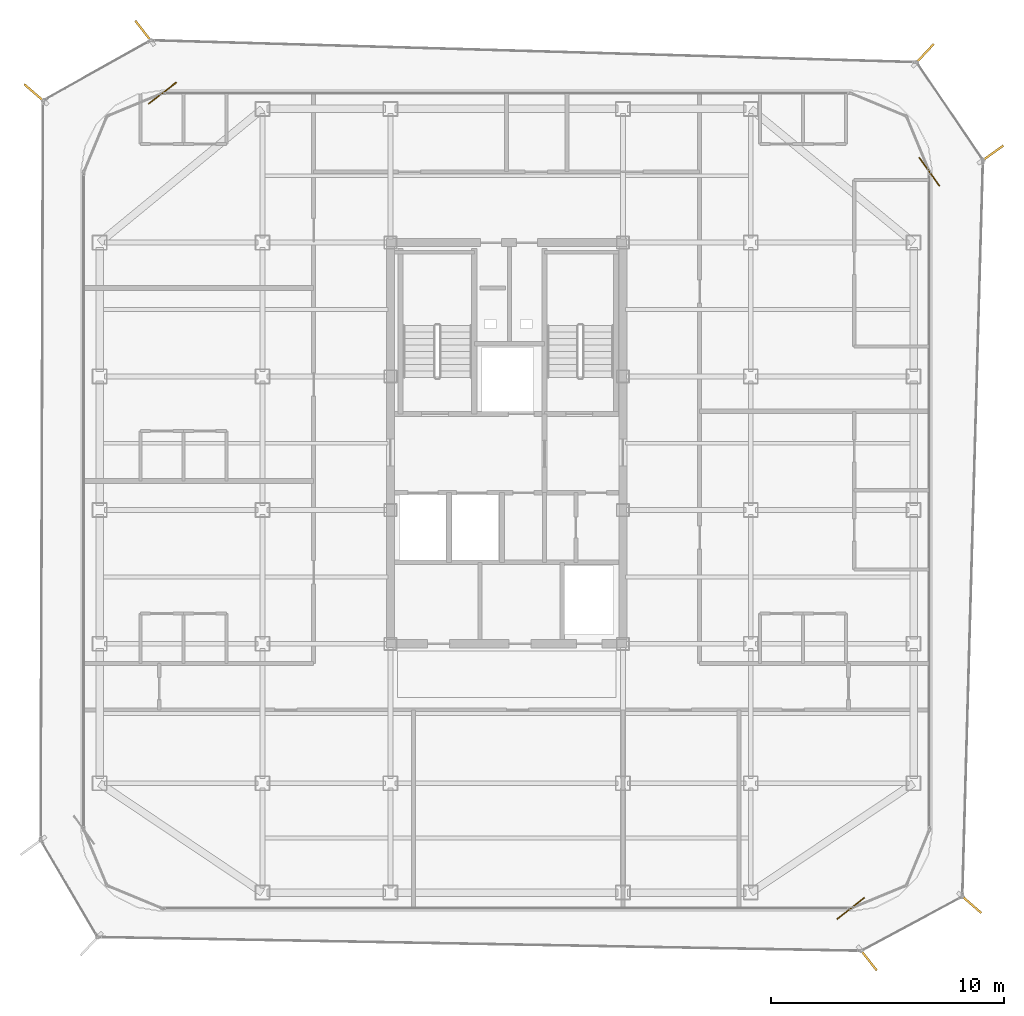
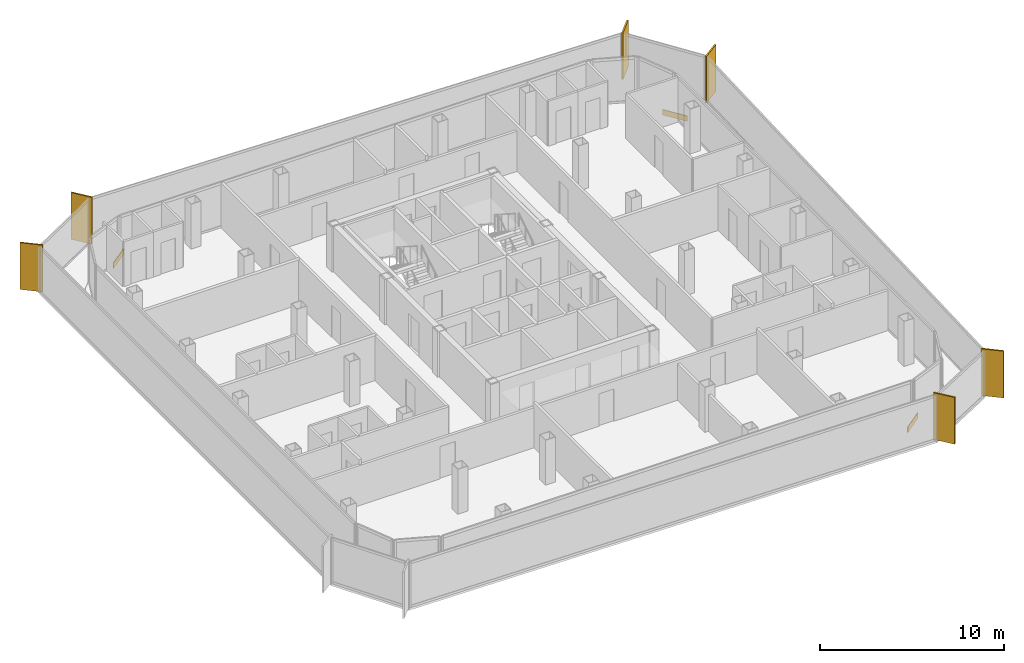
# One storey, part 14 of 14: 6 shading devices, 3 coverings.
"""IFC4 building model written with IfcOpenShell, lengths in metres."""

from ifc_helpers import new_model, si_unit, direction, frame, origin, origin_2d, place, context, subcontext, project, spatial, rectangle, extrude, source, transform, mapped, material, layer, layer_set, type_object, element, save


model = new_model("IFC4")

# Units and contexts
model_context = context("Model", 3, precision=1e-05, world=origin(), true_north=direction((0.0, 1.0)))
body_context = subcontext(model_context, "Body", "Model", "MODEL_VIEW")
ifc_project = project(units=[si_unit("LENGTHUNIT", "METRE"), si_unit("AREAUNIT", "SQUARE_METRE"), si_unit("VOLUMEUNIT", "CUBIC_METRE"), si_unit("PLANEANGLEUNIT", "RADIAN"), si_unit("MASSUNIT", "GRAM", prefix="KILO")], contexts=[model_context])

# Site, building, storey
site_placement = place(None, origin())
site = spatial("IfcSite", under=ifc_project, at=site_placement, CompositionType="ELEMENT")
building_placement = place(site_placement, origin())
building = spatial("IfcBuilding", under=site, at=building_placement, Name="Kolveth Station Tower", CompositionType="ELEMENT")
storey_placement = place(building_placement, frame((0.0, 0.0, 226.5)))
storey = spatial("IfcBuildingStorey", under=building, at=storey_placement, Name="L64", CompositionType="ELEMENT", Elevation=226.5)

# Shading devices
ifc_material_1 = material(Name="Black anodized aluminium 6063-T6", Category="aluminium")
shading_device_type = type_object("IfcShadingDeviceType", Name="FIN_VF1", PredefinedType="USERDEFINED", material=ifc_material_1)
shared_shape_1 = source(origin(), body_context, "Body", "SweptSolid", [
    extrude(rectangle(XDim=1.25, YDim=0.090087890625, at=origin_2d()), origin(), (0.0, 0.0, 1.0), 3.10009765625),
])
for number, where, z_axis, x_axis, name in (
    (1, (39.034912109375, -2.06103515625, 0.0), (0.0, 0.0, 1.0), (0.61895687622, -0.785424971197, 0.0), "L64 Dark-Aluminium Solar Fin 1"),
    (2, (43.443115234375, 0.3330078125, 0.0), (0.0, 0.0, 1.0), (0.755052988457, -0.655663774065, 0.0), "L64 Dark-Aluminium Solar Fin 2"),
    (3, (44.35595703125, 32.56396484375, 0.0), (0.0, 0.0, 1.0), (0.813405448449, 0.581697151818, 0.0), "L64 Dark-Aluminium Solar Fin 3"),
    (4, (41.44189453125, 36.8359375, 0.0), (0.0, 0.0, 1.0), (0.683018857343, 0.730400739673, 0.0), "L64 Dark-Aluminium Solar Fin 4"),
    (5, (7.9130859375, 37.803955078125, 0.0), (0.0, 0.0, 1.0), (-0.611803192039, 0.791010021561, 0.0), "L64 Dark-Aluminium Solar Fin 5"),
    (6, (3.22802734375, 35.154052734375, 0.0), (0.0, 0.0, 1.0), (-0.756881000713, 0.653552714599, 0.0), "L64 Dark-Aluminium Solar Fin 6"),
):
    element("IfcShadingDevice", number, at=place(storey_placement, frame(where, z_axis=z_axis, x_axis=x_axis)), inside=storey, type_object=shading_device_type, Name=name, ObjectType="FIN", PredefinedType="USERDEFINED", context=body_context, shape_type="MappedRepresentation", body=[
        mapped(shared_shape_1, transform((0.0, 0.0, 0.0), x_axis=(1.0, 0.0, 0.0), y_axis=(0.0, 1.0, 0.0), z_axis=(0.0, 0.0, 1.0), scale=1.0)),
    ])

# Coverings
ifc_material_2 = material(Name="Charcoal anodized aluminium spandrel cladding", Category="aluminium")
ifc_layer = layer(ifc_material_2, 0.044921875)
ifc_layer_set = layer_set([ifc_layer], Name="Charcoal anodized aluminium spandrel cladding")
covering_type = type_object("IfcCoveringType", Name="Clad_CD1", PredefinedType="CLADDING", material=ifc_layer_set)
shared_shape_2 = source(origin(), body_context, "Body", "SweptSolid", [
    extrude(rectangle(XDim=1.5, YDim=0.044921875, at=origin_2d()), origin(), (0.0, 0.0, 1.0), 0.360107421875),
])
for number, where, z_axis, x_axis, name in (
    (7, (38.300048828125, 0.1201171875, 0.0), (0.0, 0.0, 1.0), (0.785424971197, 0.61895687622, 0.0), "L64 Spandrel Edge Cladding 1"),
    (8, (41.679931640625, 31.800048828125, 0.0), (0.0, 0.0, 1.0), (-0.581697151818, 0.813405448449, 0.0), "L64 Spandrel Edge Cladding 3"),
    (9, (8.699951171875, 35.179931640625, 0.0), (0.0, 0.0, 1.0), (-0.791010021561, -0.611803192039, 0.0), "L64 Spandrel Edge Cladding 5"),
):
    element("IfcCovering", number, at=place(storey_placement, frame(where, z_axis=z_axis, x_axis=x_axis)), inside=storey, type_object=covering_type, Name=name, PredefinedType="CLADDING", context=body_context, shape_type="MappedRepresentation", body=[
        mapped(shared_shape_2, transform((0.0, 0.0, 0.0), x_axis=(1.0, 0.0, 0.0), y_axis=(0.0, 1.0, 0.0), z_axis=(0.0, 0.0, 1.0), scale=1.0)),
    ])

save(model, "model.ifc")
